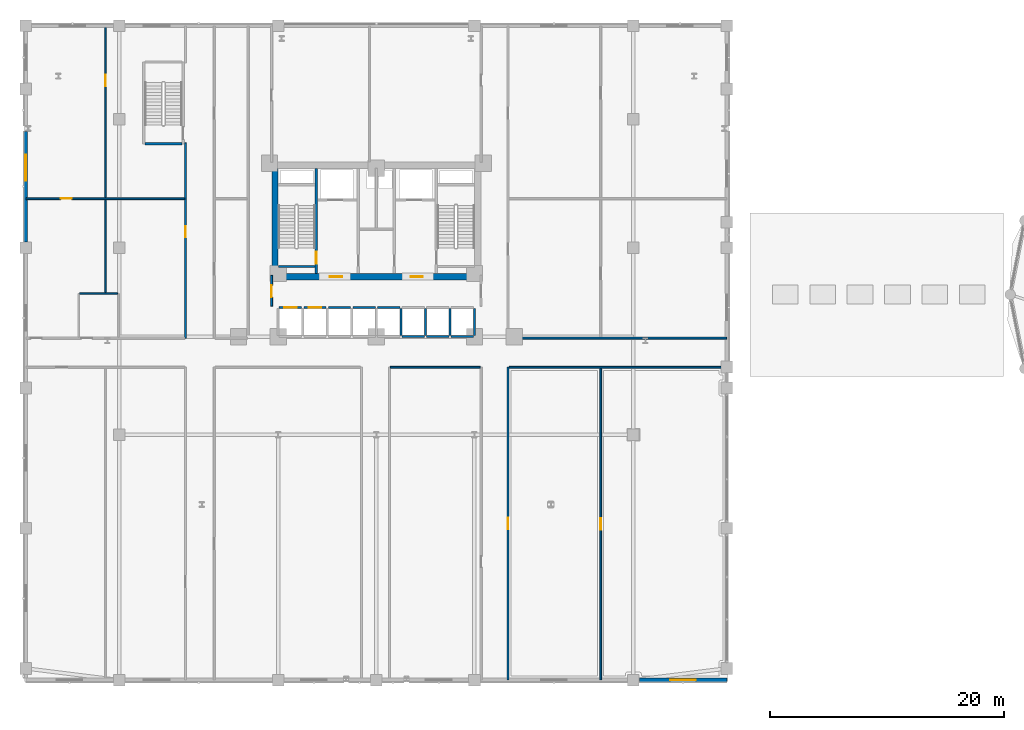
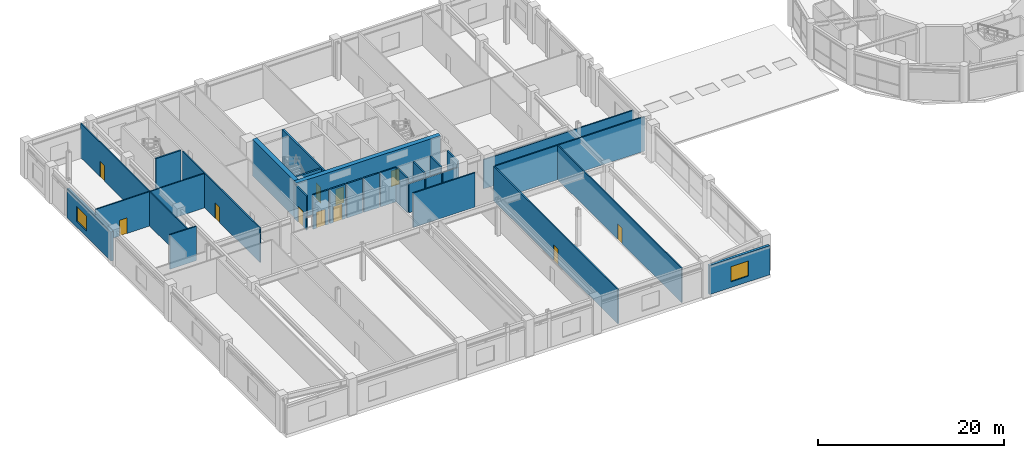
# One storey, part 18 of 34: 29 walls, 11 doors, 2 windows, 13 openings.
"""IFC4 building model written with IfcOpenShell, lengths in metres."""

from ifc_helpers import new_model, si_unit, derived_unit, direction, frame, frame_2d, origin, place, context, subcontext, project, spatial, rectangle, extrude, material, layer, layer_set, type_object, element, fill, save


model = new_model("IFC4")

# Units and contexts
model_context = context("Model", 3, precision=1e-05, world=origin(), true_north=direction((0.0, 1.0)))
body_context = subcontext(model_context, "Body", "Model", "MODEL_VIEW")
ifc_project = project(units=[si_unit("LENGTHUNIT", "METRE"), si_unit("AREAUNIT", "SQUARE_METRE"), si_unit("VOLUMEUNIT", "CUBIC_METRE"), si_unit("PLANEANGLEUNIT", "RADIAN"), si_unit("MASSUNIT", "GRAM", prefix="KILO"), derived_unit("THERMALTRANSMITTANCEUNIT", [(si_unit("POWERUNIT", "WATT"), 1), (si_unit("LENGTHUNIT", "METRE"), -2), (si_unit("THERMODYNAMICTEMPERATUREUNIT", "KELVIN"), -1)])], contexts=[model_context])

# Site, building, storey
site_placement = place(None, origin())
site = spatial("IfcSite", under=ifc_project, at=site_placement, CompositionType="ELEMENT")
building_placement = place(site_placement, origin())
building = spatial("IfcBuilding", under=site, at=building_placement, Name="Korsvarv Bourse and Concert Hall", CompositionType="ELEMENT")
storey_placement = place(building_placement, frame((0.0, 0.0, 14.39990234375)))
storey = spatial("IfcBuildingStorey", under=building, at=storey_placement, Name="L03", CompositionType="ELEMENT", Elevation=14.39990234375)

# Wall, opening, door
ifc_material_1 = material(Name="Concrete C50/60", Category="concrete")
ifc_layer_1 = layer(ifc_material_1, 0.3798828125)
ifc_layer_set_1 = layer_set([ifc_layer_1], Name="Concrete C50/60")
wall_type_1 = type_object("IfcWallType", Name="WL-CORE-380", PredefinedType="SHEAR", material=ifc_layer_set_1)
wall_1_placement = place(storey_placement, frame((30.860107421875, 37.81005859375, 0.0), z_axis=(0.0, 0.0, 1.0), x_axis=(0.0, 1.0, 0.0)))
wall_1 = element("IfcWall", 1, at=wall_1_placement, inside=storey, type_object=wall_type_1, Name="L03 stair shaft structural wall W-L03-ST1-E", PredefinedType="SHEAR", context=body_context, shape_type="SweptSolid", body=[
    extrude(rectangle(XDim=8.97998046875, YDim=0.199951171875, at=frame_2d((4.489990234375, 0.0))), origin(), (0.0, 0.0, 1.0), 4.800048828125),
])
opening_1_placement = place(wall_1_placement, frame((0.820068359375, 0.0, 0.0)))
opening_1 = element("IfcOpeningElement", 2, at=opening_1_placement, cuts=wall_1, Name="Opening D-01", PredefinedType="OPENING", context=body_context, shape_type="SweptSolid", body=[
    extrude(rectangle(XDim=1.050048828125, YDim=2.10009765625, at=frame_2d((0.52490234375, 1.050048828125))), frame((0.0, 0.10986328125, 0.0), z_axis=(0.0, -1.0, 0.0), x_axis=(1.0, 0.0, 0.0)), (0.0, 0.0, 1.0), 0.219970703125),
])
ifc_material_2 = material(Name="Steel S355 fire door", Category="steel")
door_type_1 = type_object("IfcDoorType", Name="DR-FD60", OperationType="NOTDEFINED", PredefinedType="DOOR", material=ifc_material_2)
door_1_placement = place(opening_1_placement, origin())
door_1 = element("IfcDoor", 3, at=door_1_placement, inside=storey, type_object=door_type_1, Name="L03 interior door DR-L03-ST1", OperationType="SINGLE_SWING_LEFT", OverallHeight=2.10009765625, OverallWidth=1.050048828125, PredefinedType="DOOR", context=body_context, shape_type="SweptSolid", body=[
    extrude(rectangle(XDim=1.050048828125, YDim=2.10009765625, at=frame_2d((0.52490234375, 1.050048828125))), frame((0.0, 0.02490234375, 0.0), z_axis=(0.0, -1.0, 0.0), x_axis=(1.0, 0.0, 0.0)), (0.0, 0.0, 1.0), 0.050048828125),
])
fill(opening_1, door_1)

# Walls
wall_2_placement = place(storey_placement, frame((27.610107421875, 38.39990234375, 0.0), z_axis=(0.0, 0.0, 1.0), x_axis=(1.0, 0.0, 0.0)))
element("IfcWall", 4, at=wall_2_placement, inside=storey, type_object=wall_type_1, Name="L03 stair shaft structural wall W-L03-ST1-S", PredefinedType="SHEAR", context=body_context, shape_type="SweptSolid", body=[
    extrude(rectangle(XDim=3.139892578125, YDim=0.199951171875, at=frame_2d((1.56982421875, 0.0))), origin(), (0.0, 0.0, 1.0), 4.800048828125),
])
wall_3_placement = place(storey_placement, frame((16.2099609375, 48.89990234375, 0.0), z_axis=(0.0, 0.0, 1.0), x_axis=(1.0, 0.0, 0.0)))
element("IfcWall", 5, at=wall_3_placement, inside=storey, type_object=wall_type_1, Name="L03 stair shaft structural wall W-L03-STPD-S", PredefinedType="SHEAR", context=body_context, shape_type="SweptSolid", body=[
    extrude(rectangle(XDim=3.14013671875, YDim=0.199951171875, at=frame_2d((1.570068359375, 0.0))), origin(), (0.0, 0.0, 1.0), 4.800048828125),
])

# Wall, openings, doors
ifc_material_3 = material(Name="Concrete C60/75", Category="concrete")
ifc_layer_2 = layer(ifc_material_3, 0.550048828125)
ifc_layer_set_2 = layer_set([ifc_layer_2], Name="Concrete C60/75")
wall_type_2 = type_object("IfcWallType", Name="WL-CORE-550", PredefinedType="SHEAR", material=ifc_layer_set_2)
wall_4_placement = place(storey_placement, frame((27.050048828125, 37.52490234375, 0.0), z_axis=(0.0, 0.0, 1.0), x_axis=(1.0, 0.0, 0.0)))
wall_4 = element("IfcWall", 6, at=wall_4_placement, inside=storey, type_object=wall_type_2, Name="L03 South Core Shear Wall", PredefinedType="SHEAR", context=body_context, shape_type="SweptSolid", body=[
    extrude(rectangle(XDim=17.89990234375, YDim=0.550048828125, at=frame_2d((8.949951171875, 0.0))), origin(), (0.0, 0.0, 1.0), 4.800048828125),
])
opening_2_placement = place(wall_4_placement, frame((4.97509765625, 0.0, 0.0)))
opening_2 = element("IfcOpeningElement", 7, at=opening_2_placement, cuts=wall_4, Name="Opening D-01", PredefinedType="OPENING", context=body_context, shape_type="SweptSolid", body=[
    extrude(rectangle(XDim=1.050048828125, YDim=2.10009765625, at=frame_2d((0.52490234375, 1.050048828125))), frame((0.0, 0.28515625, 0.0), z_axis=(0.0, -1.0, 0.0), x_axis=(1.0, 0.0, 0.0)), (0.0, 0.0, 1.0), 0.570068359375),
])
opening_3_placement = place(wall_4_placement, frame((11.875, 0.0, 0.0)))
opening_3 = element("IfcOpeningElement", 8, at=opening_3_placement, cuts=wall_4, Name="Opening D-01", PredefinedType="OPENING", context=body_context, shape_type="SweptSolid", body=[
    extrude(rectangle(XDim=1.050048828125, YDim=2.10009765625, at=frame_2d((0.52490234375, 1.050048828125))), frame((0.0, 0.28515625, 0.0), z_axis=(0.0, -1.0, 0.0), x_axis=(1.0, 0.0, 0.0)), (0.0, 0.0, 1.0), 0.570068359375),
])
door_2_placement = place(opening_2_placement, frame((1.050048828125, 0.0, 0.0), z_axis=(0.0, 0.0, 1.0), x_axis=(-1.0, 0.0, 0.0)))
door_2 = element("IfcDoor", 9, at=door_2_placement, inside=storey, type_object=door_type_1, Name="L03 firefighting lobby fire door DR-L03-FFLW", OperationType="SINGLE_SWING_RIGHT", OverallHeight=2.10009765625, OverallWidth=1.050048828125, PredefinedType="DOOR", context=body_context, shape_type="SweptSolid", body=[
    extrude(rectangle(XDim=1.050048828125, YDim=2.10009765625, at=frame_2d((0.52490234375, 1.050048828125))), frame((0.0, 0.02490234375, 0.0), z_axis=(0.0, -1.0, 0.0), x_axis=(1.0, 0.0, 0.0)), (0.0, 0.0, 1.0), 0.050048828125),
])
fill(opening_2, door_2)
door_3_placement = place(opening_3_placement, frame((1.050048828125, 0.0, 0.0), z_axis=(0.0, 0.0, 1.0), x_axis=(-1.0, 0.0, 0.0)))
door_3 = element("IfcDoor", 10, at=door_3_placement, inside=storey, type_object=door_type_1, Name="L03 firefighting lobby fire door DR-L03-FFLE", OperationType="SINGLE_SWING_LEFT", OverallHeight=2.10009765625, OverallWidth=1.050048828125, PredefinedType="DOOR", context=body_context, shape_type="SweptSolid", body=[
    extrude(rectangle(XDim=1.050048828125, YDim=2.10009765625, at=frame_2d((0.52490234375, 1.050048828125))), frame((0.0, 0.02490234375, 0.0), z_axis=(0.0, -1.0, 0.0), x_axis=(1.0, 0.0, 0.0)), (0.0, 0.0, 1.0), 0.050048828125),
])
fill(opening_3, door_3)

# Wall
wall_5_placement = place(storey_placement, frame((27.324951171875, 37.800048828125, 0.0), z_axis=(0.0, 0.0, 1.0), x_axis=(0.0, 1.0, 0.0)))
element("IfcWall", 11, at=wall_5_placement, inside=storey, type_object=wall_type_2, Name="L03 West Core Shear Wall", PredefinedType="SHEAR", context=body_context, shape_type="SweptSolid", body=[
    extrude(rectangle(XDim=9.0, YDim=0.550048828125, at=frame_2d((4.5, 0.0))), origin(), (0.0, 0.0, 1.0), 4.800048828125),
])

# Wall, opening, window
ifc_material_4 = material(Name="Precast concrete C45/55 with granite and terracotta", Category="concrete")
ifc_layer_3 = layer(ifc_material_4, 0.320068359375)
ifc_layer_set_3 = layer_set([ifc_layer_3], Name="Precast concrete C45/55 with granite and terracotta")
wall_type_3 = type_object("IfcWallType", Name="WL-EXT-POD", PredefinedType="SOLIDWALL", material=ifc_layer_set_3)
wall_6_placement = place(storey_placement, frame((58.5048828125, 3.0, 0.0), z_axis=(0.0, 0.0, 1.0), x_axis=(1.0, 0.0, 0.0)))
wall_6 = element("IfcWall", 12, at=wall_6_placement, inside=storey, type_object=wall_type_3, Name="L03 terracotta exterior wall EW-L03-S6", PredefinedType="SOLIDWALL", context=body_context, shape_type="SweptSolid", body=[
    extrude(rectangle(XDim=7.4951171875, YDim=0.320068359375, at=frame_2d((3.74755859375, 0.0))), origin(), (0.0, 0.0, 1.0), 3.820068359375),
])
opening_4_placement = place(wall_6_placement, frame((2.6474609375, 0.0, 0.75)))
opening_4 = element("IfcOpeningElement", 13, at=opening_4_placement, cuts=wall_6, Name="Opening W-03", PredefinedType="OPENING", context=body_context, shape_type="SweptSolid", body=[
    extrude(rectangle(XDim=2.199951171875, YDim=2.0, at=frame_2d((1.10009765625, 1.0))), frame((0.0, 0.169921875, 0.0), z_axis=(0.0, -1.0, 0.0), x_axis=(1.0, 0.0, 0.0)), (0.0, 0.0, 1.0), 0.340087890625),
])
ifc_material_5 = material(Name="Thermally broken aluminium frame with triple low-E glass", Category="glass")
window_type = type_object("IfcWindowType", Name="WIN-POD1", PartitioningType="SINGLE_PANEL", PredefinedType="WINDOW", material=ifc_material_5)
window_1_placement = place(opening_4_placement, origin())
window_1 = element("IfcWindow", 14, at=window_1_placement, inside=storey, type_object=window_type, Name="L03 punched facade window W-03", OverallHeight=2.0, OverallWidth=2.199951171875, PartitioningType="SINGLE_PANEL", PredefinedType="WINDOW", context=body_context, shape_type="SweptSolid", body=[
    extrude(rectangle(XDim=2.199951171875, YDim=2.0, at=frame_2d((1.10009765625, 1.0))), frame((0.0, 0.030029296875, 0.0), z_axis=(0.0, -1.0, 0.0), x_axis=(1.0, 0.0, 0.0)), (0.0, 0.0, 1.0), 0.06005859375),
])
fill(opening_4, window_1)

wall_7_placement = place(storey_placement, frame((6.0, 40.5048828125, 0.0), z_axis=(0.0, 0.0, 1.0), x_axis=(0.0, 1.0, 0.0)))
wall_7 = element("IfcWall", 15, at=wall_7_placement, inside=storey, type_object=wall_type_3, Name="L03 terracotta exterior wall EW-L03-W4-1", PredefinedType="SOLIDWALL", context=body_context, shape_type="SweptSolid", body=[
    extrude(rectangle(XDim=9.47021484375, YDim=0.320068359375, at=frame_2d((4.735107421875, 0.0))), origin(), (0.0, 0.0, 1.0), 3.820068359375),
])
opening_5_placement = place(wall_7_placement, frame((5.252685546875, 0.0, 0.75)))
opening_5 = element("IfcOpeningElement", 16, at=opening_5_placement, cuts=wall_7, Name="Opening W-03", PredefinedType="OPENING", context=body_context, shape_type="SweptSolid", body=[
    extrude(rectangle(XDim=2.199951171875, YDim=2.0, at=frame_2d((1.10009765625, 1.0))), frame((0.0, 0.169921875, 0.0), z_axis=(0.0, -1.0, 0.0), x_axis=(1.0, 0.0, 0.0)), (0.0, 0.0, 1.0), 0.340087890625),
])
window_2_placement = place(opening_5_placement, origin())
window_2 = element("IfcWindow", 17, at=window_2_placement, inside=storey, type_object=window_type, Name="L03 punched facade window W-03", OverallHeight=2.0, OverallWidth=2.199951171875, PartitioningType="SINGLE_PANEL", PredefinedType="WINDOW", context=body_context, shape_type="SweptSolid", body=[
    extrude(rectangle(XDim=2.199951171875, YDim=2.0, at=frame_2d((1.10009765625, 1.0))), frame((0.0, 0.030029296875, 0.0), z_axis=(0.0, -1.0, 0.0), x_axis=(1.0, 0.0, 0.0)), (0.0, 0.0, 1.0), 0.06005859375),
])
fill(opening_5, window_2)

# Wall, opening, door
ifc_material_6 = material(Name="Double-stud fire-rated acoustic partition", Category="gypsum")
ifc_layer_4 = layer(ifc_material_6, 0.159912109375)
ifc_layer_set_4 = layer_set([ifc_layer_4], Name="Double-stud fire-rated acoustic partition")
wall_type_4 = type_object("IfcWallType", Name="WL-INT-EI60", PredefinedType="PARTITIONING", material=ifc_layer_set_4)
wall_8_placement = place(storey_placement, frame((27.0400390625, 35.0, 0.0), z_axis=(0.0, 0.0, 1.0), x_axis=(0.0, 1.0, 0.0)))
wall_8 = element("IfcWall", 18, at=wall_8_placement, inside=storey, type_object=wall_type_4, Name="L03 interior partition wall W-L03-LOB-W", PredefinedType="PARTITIONING", context=body_context, shape_type="SweptSolid", body=[
    extrude(rectangle(XDim=2.64990234375, YDim=0.159912109375, at=frame_2d((1.324951171875, 0.0))), origin(), (0.0, 0.0, 1.0), 4.52001953125),
])
opening_6_placement = place(wall_8_placement, frame((0.75, 0.0, 0.0)))
opening_6 = element("IfcOpeningElement", 19, at=opening_6_placement, cuts=wall_8, Name="Opening D-01", PredefinedType="OPENING", context=body_context, shape_type="SweptSolid", body=[
    extrude(rectangle(XDim=1.050048828125, YDim=2.10009765625, at=frame_2d((0.52490234375, 1.050048828125))), frame((0.0, 0.08984375, 0.0), z_axis=(0.0, -1.0, 0.0), x_axis=(1.0, 0.0, 0.0)), (0.0, 0.0, 1.0), 0.179931640625),
])
door_4_placement = place(opening_6_placement, frame((1.050048828125, 0.0, 0.0), z_axis=(0.0, 0.0, 1.0), x_axis=(-1.0, 0.0, 0.0)))
door_4 = element("IfcDoor", 20, at=door_4_placement, inside=storey, type_object=door_type_1, Name="L03 interior door DR-L03-LOBW", OperationType="SINGLE_SWING_LEFT", OverallHeight=2.10009765625, OverallWidth=1.050048828125, PredefinedType="DOOR", context=body_context, shape_type="SweptSolid", body=[
    extrude(rectangle(XDim=1.050048828125, YDim=2.10009765625, at=frame_2d((0.52490234375, 1.050048828125))), frame((0.0, 0.02490234375, 0.0), z_axis=(0.0, -1.0, 0.0), x_axis=(1.0, 0.0, 0.0)), (0.0, 0.0, 1.0), 0.050048828125),
])
fill(opening_6, door_4)

wall_9_placement = place(storey_placement, frame((47.27490234375, 3.02001953125, 0.0), z_axis=(0.0, 0.0, 1.0), x_axis=(0.0, 1.0, 0.0)))
wall_9 = element("IfcWall", 21, at=wall_9_placement, inside=storey, type_object=wall_type_4, Name="L03 interior partition wall W-L03-PCOR-01", PredefinedType="PARTITIONING", context=body_context, shape_type="SweptSolid", body=[
    extrude(rectangle(XDim=26.760009765625, YDim=0.159912109375, at=frame_2d((13.3798828125, 0.0))), origin(), (0.0, 0.0, 1.0), 4.52001953125),
])
opening_7_placement = place(wall_9_placement, frame((12.905029296875, 0.0, 0.0)))
opening_7 = element("IfcOpeningElement", 22, at=opening_7_placement, cuts=wall_9, Name="Opening D-02", PredefinedType="OPENING", context=body_context, shape_type="SweptSolid", body=[
    extrude(rectangle(XDim=0.949951171875, YDim=2.050048828125, at=frame_2d((0.47509765625, 1.02490234375))), frame((0.0, 0.08984375, 0.0), z_axis=(0.0, -1.0, 0.0), x_axis=(1.0, 0.0, 0.0)), (0.0, 0.0, 1.0), 0.179931640625),
])
ifc_material_7 = material(Name="Timber and steel acoustic fire door", Category="wood")
door_type_2 = type_object("IfcDoorType", Name="DR-FD30", OperationType="NOTDEFINED", PredefinedType="DOOR", material=ifc_material_7)
door_5_placement = place(opening_7_placement, origin())
door_5 = element("IfcDoor", 23, at=door_5_placement, inside=storey, type_object=door_type_2, Name="L03 interior door DR-L03-PCOR-DIN1", OperationType="SINGLE_SWING_LEFT", OverallHeight=2.050048828125, OverallWidth=0.949951171875, PredefinedType="DOOR", context=body_context, shape_type="SweptSolid", body=[
    extrude(rectangle(XDim=0.949951171875, YDim=2.050048828125, at=frame_2d((0.47509765625, 1.02490234375))), frame((0.0, 0.02490234375, 0.0), z_axis=(0.0, -1.0, 0.0), x_axis=(1.0, 0.0, 0.0)), (0.0, 0.0, 1.0), 0.050048828125),
])
fill(opening_7, door_5)

# Walls
wall_10_placement = place(storey_placement, frame((47.35693359375, 29.77490234375, 0.0), z_axis=(0.0, 0.0, 1.0), x_axis=(1.0, 0.0, 0.0)))
element("IfcWall", 24, at=wall_10_placement, inside=storey, type_object=wall_type_4, Name="L03 interior partition wall W-L03-PCOR-10", PredefinedType="PARTITIONING", context=body_context, shape_type="SweptSolid", body=[
    extrude(rectangle(XDim=18.623046875, YDim=0.159912109375, at=frame_2d((9.3115234375, 0.0))), origin(), (0.0, 0.0, 1.0), 4.52001953125),
])
wall_11_placement = place(storey_placement, frame((47.35693359375, 32.27490234375, 0.0), z_axis=(0.0, 0.0, 1.0), x_axis=(1.0, 0.0, 0.0)))
element("IfcWall", 25, at=wall_11_placement, inside=storey, type_object=wall_type_4, Name="L03 interior partition wall W-L03-PCOR-11", PredefinedType="PARTITIONING", context=body_context, shape_type="SweptSolid", body=[
    extrude(rectangle(XDim=18.623046875, YDim=0.159912109375, at=frame_2d((9.3115234375, 0.0))), origin(), (0.0, 0.0, 1.0), 3.820068359375),
])

# Wall, opening, door
wall_12_placement = place(storey_placement, frame((19.6650390625, 32.27001953125, 0.0), z_axis=(0.0, 0.0, 1.0), x_axis=(0.0, 1.0, 0.0)))
wall_12 = element("IfcWall", 26, at=wall_12_placement, inside=storey, type_object=wall_type_4, Name="L03 interior partition wall W-L03-PCOR-12", PredefinedType="PARTITIONING", context=body_context, shape_type="SweptSolid", body=[
    extrude(rectangle(XDim=16.7099609375, YDim=0.159912109375, at=frame_2d((8.35498046875, 0.0))), origin(), (0.0, 0.0, 1.0), 4.52001953125),
])
opening_8_placement = place(wall_12_placement, frame((8.63720703125, 0.0, 0.0)))
opening_8 = element("IfcOpeningElement", 27, at=opening_8_placement, cuts=wall_12, Name="Opening D-02", PredefinedType="OPENING", context=body_context, shape_type="SweptSolid", body=[
    extrude(rectangle(XDim=0.949951171875, YDim=2.050048828125, at=frame_2d((0.47509765625, 1.02490234375))), frame((0.0, 0.08984375, 0.0), z_axis=(0.0, -1.0, 0.0), x_axis=(1.0, 0.0, 0.0)), (0.0, 0.0, 1.0), 0.179931640625),
])
door_6_placement = place(opening_8_placement, origin())
door_6 = element("IfcDoor", 28, at=door_6_placement, inside=storey, type_object=door_type_2, Name="L03 interior door DR-L03-PCOR-RM1717", OperationType="SINGLE_SWING_LEFT", OverallHeight=2.050048828125, OverallWidth=0.949951171875, PredefinedType="DOOR", context=body_context, shape_type="SweptSolid", body=[
    extrude(rectangle(XDim=0.949951171875, YDim=2.050048828125, at=frame_2d((0.47509765625, 1.02490234375))), frame((0.0, 0.02490234375, 0.0), z_axis=(0.0, -1.0, 0.0), x_axis=(1.0, 0.0, 0.0)), (0.0, 0.0, 1.0), 0.050048828125),
])
fill(opening_8, door_6)

# Wall
wall_13_placement = place(storey_placement, frame((37.20703125, 29.77490234375, 0.0), z_axis=(0.0, 0.0, 1.0), x_axis=(1.0, 0.0, 0.0)))
element("IfcWall", 29, at=wall_13_placement, inside=storey, type_object=wall_type_4, Name="L03 interior partition wall W-L03-PCOR-18", PredefinedType="PARTITIONING", context=body_context, shape_type="SweptSolid", body=[
    extrude(rectangle(XDim=7.676025390625, YDim=0.159912109375, at=frame_2d((3.837890625, 0.0))), origin(), (0.0, 0.0, 1.0), 4.52001953125),
])

# Wall, opening, door
ifc_material_8 = material(Name="Gypsum-clad autoclaved concrete shaft wall C30/37", Category="concrete")
ifc_layer_5 = layer(ifc_material_8, 0.179931640625)
ifc_layer_set_5 = layer_set([ifc_layer_5], Name="Gypsum-clad autoclaved concrete shaft wall C30/37")
wall_type_5 = type_object("IfcWallType", Name="WL-INT-EI90", PredefinedType="PARTITIONING", material=ifc_layer_set_5)
wall_14_placement = place(storey_placement, frame((27.68994140625, 34.89990234375, 0.0), z_axis=(0.0, 0.0, 1.0), x_axis=(1.0, 0.0, 0.0)))
wall_14 = element("IfcWall", 30, at=wall_14_placement, inside=storey, type_object=wall_type_5, Name="L03 interior partition wall W-L03-SHFN-PL1", PredefinedType="PARTITIONING", context=body_context, shape_type="SweptSolid", body=[
    extrude(rectangle(XDim=1.920166015625, YDim=0.179931640625, at=frame_2d((0.9599609375, 0.0))), origin(), (0.0, 0.0, 1.0), 4.52001953125),
])
opening_9_placement = place(wall_14_placement, frame((0.409912109375, 0.0, 0.0)))
opening_9 = element("IfcOpeningElement", 31, at=opening_9_placement, cuts=wall_14, Name="Opening LD-2", PredefinedType="OPENING", context=body_context, shape_type="SweptSolid", body=[
    extrude(rectangle(XDim=1.10009765625, YDim=2.10009765625, at=frame_2d((0.550048828125, 1.050048828125))), frame((0.0, 0.10009765625, 0.0), z_axis=(0.0, -1.0, 0.0), x_axis=(1.0, 0.0, 0.0)), (0.0, 0.0, 1.0), 0.199951171875),
])
ifc_material_9 = material(Name="Brushed stainless Steel S355 lift landing door", Category="steel")
door_type_3 = type_object("IfcDoorType", Name="DR-LIFT-P", OperationType="DOUBLE_DOOR_SLIDING", PredefinedType="DOOR", material=ifc_material_9)
door_7_placement = place(opening_9_placement, origin())
door_7 = element("IfcDoor", 32, at=door_7_placement, inside=storey, type_object=door_type_3, Name="L03 lift sliding landing door LD-L03-PL1", OperationType="DOUBLE_DOOR_SLIDING", OverallHeight=2.10009765625, OverallWidth=1.10009765625, PredefinedType="DOOR", context=body_context, shape_type="SweptSolid", body=[
    extrude(rectangle(XDim=1.10009765625, YDim=2.10009765625, at=frame_2d((0.550048828125, 1.050048828125))), frame((0.0, 0.02490234375, 0.0), z_axis=(0.0, -1.0, 0.0), x_axis=(1.0, 0.0, 0.0)), (0.0, 0.0, 1.0), 0.050048828125),
])
fill(opening_9, door_7)

wall_15_placement = place(storey_placement, frame((29.7900390625, 34.89990234375, 0.0), z_axis=(0.0, 0.0, 1.0), x_axis=(1.0, 0.0, 0.0)))
wall_15 = element("IfcWall", 33, at=wall_15_placement, inside=storey, type_object=wall_type_5, Name="L03 interior partition wall W-L03-SHFN-PL2", PredefinedType="PARTITIONING", context=body_context, shape_type="SweptSolid", body=[
    extrude(rectangle(XDim=1.919921875, YDim=0.179931640625, at=frame_2d((0.9599609375, 0.0))), origin(), (0.0, 0.0, 1.0), 4.52001953125),
])
opening_10_placement = place(wall_15_placement, frame((0.409912109375, 0.0, 0.0)))
opening_10 = element("IfcOpeningElement", 34, at=opening_10_placement, cuts=wall_15, Name="Opening LD-2", PredefinedType="OPENING", context=body_context, shape_type="SweptSolid", body=[
    extrude(rectangle(XDim=1.10009765625, YDim=2.10009765625, at=frame_2d((0.550048828125, 1.050048828125))), frame((0.0, 0.10009765625, 0.0), z_axis=(0.0, -1.0, 0.0), x_axis=(1.0, 0.0, 0.0)), (0.0, 0.0, 1.0), 0.199951171875),
])
door_8_placement = place(opening_10_placement, origin())
door_8 = element("IfcDoor", 35, at=door_8_placement, inside=storey, type_object=door_type_3, Name="L03 lift sliding landing door LD-L03-PL2", OperationType="DOUBLE_DOOR_SLIDING", OverallHeight=2.10009765625, OverallWidth=1.10009765625, PredefinedType="DOOR", context=body_context, shape_type="SweptSolid", body=[
    extrude(rectangle(XDim=1.10009765625, YDim=2.10009765625, at=frame_2d((0.550048828125, 1.050048828125))), frame((0.0, 0.02490234375, 0.0), z_axis=(0.0, -1.0, 0.0), x_axis=(1.0, 0.0, 0.0)), (0.0, 0.0, 1.0), 0.050048828125),
])
fill(opening_10, door_8)

# Walls
wall_16_placement = place(storey_placement, frame((31.889892578125, 34.89990234375, 0.0), z_axis=(0.0, 0.0, 1.0), x_axis=(1.0, 0.0, 0.0)))
element("IfcWall", 36, at=wall_16_placement, inside=storey, type_object=wall_type_5, Name="L03 interior partition wall W-L03-SHFN-PM1", PredefinedType="PARTITIONING", context=body_context, shape_type="SweptSolid", body=[
    extrude(rectangle(XDim=1.920166015625, YDim=0.179931640625, at=frame_2d((0.9599609375, 0.0))), origin(), (0.0, 0.0, 1.0), 4.52001953125),
])
for number, where, z_axis, x_axis, name in (
    (37, (33.989990234375, 34.89990234375, 0.0), (0.0, 0.0, 1.0), (1.0, 0.0, 0.0), "L03 interior partition wall W-L03-SHFN-PM2"),
    (38, (36.090087890625, 34.89990234375, 0.0), (0.0, 0.0, 1.0), (1.0, 0.0, 0.0), "L03 interior partition wall W-L03-SHFN-PH1"),
):
    element("IfcWall", number, at=place(storey_placement, frame(where, z_axis=z_axis, x_axis=x_axis)), inside=storey, type_object=wall_type_5, Name=name, PredefinedType="PARTITIONING", context=body_context, shape_type="SweptSolid", body=[
        extrude(rectangle(XDim=1.919921875, YDim=0.179931640625, at=frame_2d((0.9599609375, 0.0))), origin(), (0.0, 0.0, 1.0), 4.52001953125),
    ])
wall_17_placement = place(storey_placement, frame((38.18994140625, 32.39990234375, 0.0), z_axis=(0.0, 0.0, 1.0), x_axis=(1.0, 0.0, 0.0)))
element("IfcWall", 39, at=wall_17_placement, inside=storey, type_object=wall_type_5, Name="L03 interior partition wall W-L03-SHFS-PH2", PredefinedType="PARTITIONING", context=body_context, shape_type="SweptSolid", body=[
    extrude(rectangle(XDim=1.920166015625, YDim=0.179931640625, at=frame_2d((0.9599609375, 0.0))), origin(), (0.0, 0.0, 1.0), 3.820068359375),
])
wall_18_placement = place(storey_placement, frame((38.10009765625, 32.489990234375, 0.0), z_axis=(0.0, 0.0, 1.0), x_axis=(0.0, 1.0, 0.0)))
element("IfcWall", 40, at=wall_18_placement, inside=storey, type_object=wall_type_5, Name="L03 interior partition wall W-L03-SHFW-PH2", PredefinedType="PARTITIONING", context=body_context, shape_type="SweptSolid", body=[
    extrude(rectangle(XDim=2.320068359375, YDim=0.179931640625, at=frame_2d((1.16015625, 0.0))), origin(), (0.0, 0.0, 1.0), 4.52001953125),
])
wall_19_placement = place(storey_placement, frame((40.2900390625, 32.39990234375, 0.0), z_axis=(0.0, 0.0, 1.0), x_axis=(1.0, 0.0, 0.0)))
element("IfcWall", 41, at=wall_19_placement, inside=storey, type_object=wall_type_5, Name="L03 interior partition wall W-L03-SHFS-PO1", PredefinedType="PARTITIONING", context=body_context, shape_type="SweptSolid", body=[
    extrude(rectangle(XDim=1.919921875, YDim=0.179931640625, at=frame_2d((0.9599609375, 0.0))), origin(), (0.0, 0.0, 1.0), 3.820068359375),
])
wall_20_placement = place(storey_placement, frame((40.199951171875, 32.489990234375, 0.0), z_axis=(0.0, 0.0, 1.0), x_axis=(0.0, 1.0, 0.0)))
element("IfcWall", 42, at=wall_20_placement, inside=storey, type_object=wall_type_5, Name="L03 interior partition wall W-L03-SHFW-PO1", PredefinedType="PARTITIONING", context=body_context, shape_type="SweptSolid", body=[
    extrude(rectangle(XDim=2.320068359375, YDim=0.179931640625, at=frame_2d((1.16015625, 0.0))), origin(), (0.0, 0.0, 1.0), 4.52001953125),
])
wall_21_placement = place(storey_placement, frame((42.389892578125, 32.39990234375, 0.0), z_axis=(0.0, 0.0, 1.0), x_axis=(1.0, 0.0, 0.0)))
element("IfcWall", 43, at=wall_21_placement, inside=storey, type_object=wall_type_5, Name="L03 interior partition wall W-L03-SHFS-PO2", PredefinedType="PARTITIONING", context=body_context, shape_type="SweptSolid", body=[
    extrude(rectangle(XDim=1.920166015625, YDim=0.179931640625, at=frame_2d((0.9599609375, 0.0))), origin(), (0.0, 0.0, 1.0), 3.820068359375),
])
for number, where, z_axis, x_axis, name in (
    (44, (42.300048828125, 32.489990234375, 0.0), (0.0, 0.0, 1.0), (0.0, 1.0, 0.0), "L03 interior partition wall W-L03-SHFW-PO2"),
    (45, (44.39990234375, 32.489990234375, 0.0), (0.0, 0.0, 1.0), (0.0, 1.0, 0.0), "L03 interior partition wall W-L03-SHFE-END"),
):
    element("IfcWall", number, at=place(storey_placement, frame(where, z_axis=z_axis, x_axis=x_axis)), inside=storey, type_object=wall_type_5, Name=name, PredefinedType="PARTITIONING", context=body_context, shape_type="SweptSolid", body=[
        extrude(rectangle(XDim=2.320068359375, YDim=0.179931640625, at=frame_2d((1.16015625, 0.0))), origin(), (0.0, 0.0, 1.0), 4.52001953125),
    ])

# Wall, opening, door
ifc_material_10 = material(Name="Insulated steel-stud office acoustic partition", Category="gypsum")
ifc_layer_6 = layer(ifc_material_10, 0.139892578125)
ifc_layer_set_6 = layer_set([ifc_layer_6], Name="Insulated steel-stud office acoustic partition")
wall_type_6 = type_object("IfcWallType", Name="WL-INT-P1", PredefinedType="PARTITIONING", material=ifc_layer_set_6)
wall_22_placement = place(storey_placement, frame((55.205078125, 3.02001953125, 0.0), z_axis=(0.0, 0.0, 1.0), x_axis=(0.0, 1.0, 0.0)))
wall_22 = element("IfcWall", 46, at=wall_22_placement, inside=storey, type_object=wall_type_6, Name="L03 interior partition wall W-L03-PCOR-21", PredefinedType="PARTITIONING", context=body_context, shape_type="SweptSolid", body=[
    extrude(rectangle(XDim=26.673095703125, YDim=0.139892578125, at=frame_2d((13.33642578125, 0.0))), origin(), (0.0, 0.0, 1.0), 4.52001953125),
])
opening_11_placement = place(wall_22_placement, frame((12.861572265625, 0.0, 0.0)))
opening_11 = element("IfcOpeningElement", 47, at=opening_11_placement, cuts=wall_22, Name="Opening D-03", PredefinedType="OPENING", context=body_context, shape_type="SweptSolid", body=[
    extrude(rectangle(XDim=0.949951171875, YDim=2.050048828125, at=frame_2d((0.47509765625, 1.02490234375))), frame((0.0, 0.080078125, 0.0), z_axis=(0.0, -1.0, 0.0), x_axis=(1.0, 0.0, 0.0)), (0.0, 0.0, 1.0), 0.159912109375),
])
ifc_material_11 = material(Name="Nordic oak acoustic office door", Category="wood")
door_type_4 = type_object("IfcDoorType", Name="DR-INT-1", OperationType="NOTDEFINED", PredefinedType="DOOR", material=ifc_material_11)
door_9_placement = place(opening_11_placement, origin())
door_9 = element("IfcDoor", 48, at=door_9_placement, inside=storey, type_object=door_type_4, Name="L03 interior door DR-L03-PCOR-KIT2", OperationType="SINGLE_SWING_LEFT", OverallHeight=2.050048828125, OverallWidth=0.949951171875, PredefinedType="DOOR", context=body_context, shape_type="SweptSolid", body=[
    extrude(rectangle(XDim=0.949951171875, YDim=2.050048828125, at=frame_2d((0.47509765625, 1.02490234375))), frame((0.0, 0.02490234375, 0.0), z_axis=(0.0, -1.0, 0.0), x_axis=(1.0, 0.0, 0.0)), (0.0, 0.0, 1.0), 0.050048828125),
])
fill(opening_11, door_9)

wall_23_placement = place(storey_placement, frame((12.804931640625, 36.06005859375, 0.0), z_axis=(0.0, 0.0, 1.0), x_axis=(0.0, 1.0, 0.0)))
wall_23 = element("IfcWall", 49, at=wall_23_placement, inside=storey, type_object=wall_type_6, Name="L03 interior partition wall W-L03-PCOR-24", PredefinedType="PARTITIONING", context=body_context, shape_type="SweptSolid", body=[
    extrude(rectangle(XDim=22.919921875, YDim=0.139892578125, at=frame_2d((11.4599609375, 0.0))), origin(), (0.0, 0.0, 1.0), 4.52001953125),
])
opening_12_placement = place(wall_23_placement, frame((17.788818359375, 0.0, 0.0)))
opening_12 = element("IfcOpeningElement", 50, at=opening_12_placement, cuts=wall_23, Name="Opening D-03", PredefinedType="OPENING", context=body_context, shape_type="SweptSolid", body=[
    extrude(rectangle(XDim=0.949951171875, YDim=2.050048828125, at=frame_2d((0.47509765625, 1.02490234375))), frame((0.0, 0.080078125, 0.0), z_axis=(0.0, -1.0, 0.0), x_axis=(1.0, 0.0, 0.0)), (0.0, 0.0, 1.0), 0.159912109375),
])
door_10_placement = place(opening_12_placement, origin())
door_10 = element("IfcDoor", 51, at=door_10_placement, inside=storey, type_object=door_type_4, Name="L03 interior door DR-L03-PCOR-RM1818", OperationType="SINGLE_SWING_RIGHT", OverallHeight=2.050048828125, OverallWidth=0.949951171875, PredefinedType="DOOR", context=body_context, shape_type="SweptSolid", body=[
    extrude(rectangle(XDim=0.949951171875, YDim=2.050048828125, at=frame_2d((0.47509765625, 1.02490234375))), frame((0.0, 0.02490234375, 0.0), z_axis=(0.0, -1.0, 0.0), x_axis=(1.0, 0.0, 0.0)), (0.0, 0.0, 1.0), 0.050048828125),
])
fill(opening_12, door_10)

wall_24_placement = place(storey_placement, frame((6.02001953125, 44.205078125, 0.0), z_axis=(0.0, 0.0, 1.0), x_axis=(1.0, 0.0, 0.0)))
wall_24 = element("IfcWall", 52, at=wall_24_placement, inside=storey, type_object=wall_type_6, Name="L03 interior partition wall W-L03-PCOR-26", PredefinedType="PARTITIONING", context=body_context, shape_type="SweptSolid", body=[
    extrude(rectangle(XDim=13.56298828125, YDim=0.139892578125, at=frame_2d((6.781494140625, 0.0))), origin(), (0.0, 0.0, 1.0), 4.52001953125),
])
opening_13_placement = place(wall_24_placement, frame((2.969970703125, 0.0, 0.0)))
opening_13 = element("IfcOpeningElement", 53, at=opening_13_placement, cuts=wall_24, Name="Opening D-03", PredefinedType="OPENING", context=body_context, shape_type="SweptSolid", body=[
    extrude(rectangle(XDim=0.949951171875, YDim=2.050048828125, at=frame_2d((0.47509765625, 1.02490234375))), frame((0.0, 0.080078125, 0.0), z_axis=(0.0, -1.0, 0.0), x_axis=(1.0, 0.0, 0.0)), (0.0, 0.0, 1.0), 0.159912109375),
])
door_11_placement = place(opening_13_placement, origin())
door_11 = element("IfcDoor", 54, at=door_11_placement, inside=storey, type_object=door_type_4, Name="L03 interior door DR-L03-PCOR-WC16", OperationType="SINGLE_SWING_LEFT", OverallHeight=2.050048828125, OverallWidth=0.949951171875, PredefinedType="DOOR", context=body_context, shape_type="SweptSolid", body=[
    extrude(rectangle(XDim=0.949951171875, YDim=2.050048828125, at=frame_2d((0.47509765625, 1.02490234375))), frame((0.0, 0.02490234375, 0.0), z_axis=(0.0, -1.0, 0.0), x_axis=(1.0, 0.0, 0.0)), (0.0, 0.0, 1.0), 0.050048828125),
])
fill(opening_13, door_11)

# Wall
wall_25_placement = place(storey_placement, frame((10.596923828125, 36.074951171875, 0.0), z_axis=(0.0, 0.0, 1.0), x_axis=(1.0, 0.0, 0.0)))
element("IfcWall", 55, at=wall_25_placement, inside=storey, type_object=wall_type_6, Name="L03 interior partition wall W-L03-PCOR-30", PredefinedType="PARTITIONING", context=body_context, shape_type="SweptSolid", body=[
    extrude(rectangle(XDim=3.256103515625, YDim=0.139892578125, at=frame_2d((1.6279296875, 0.0))), origin(), (0.0, 0.0, 1.0), 4.52001953125),
])

save(model, "model.ifc")
